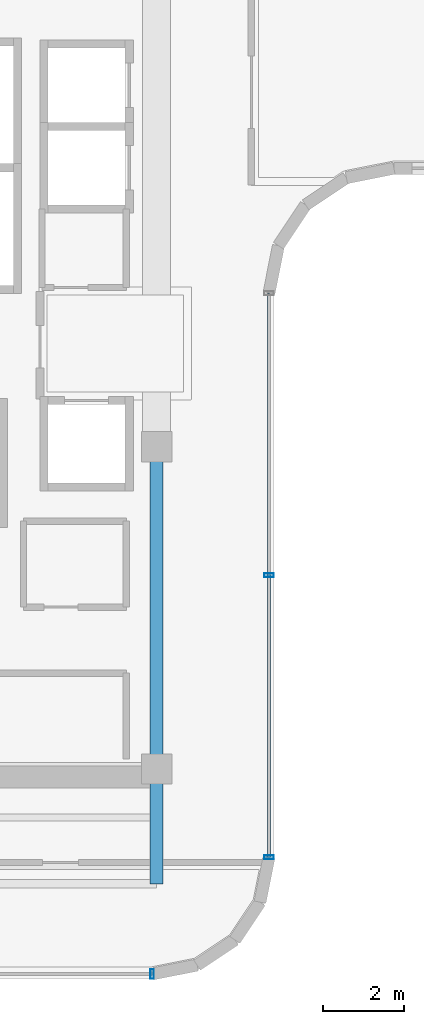
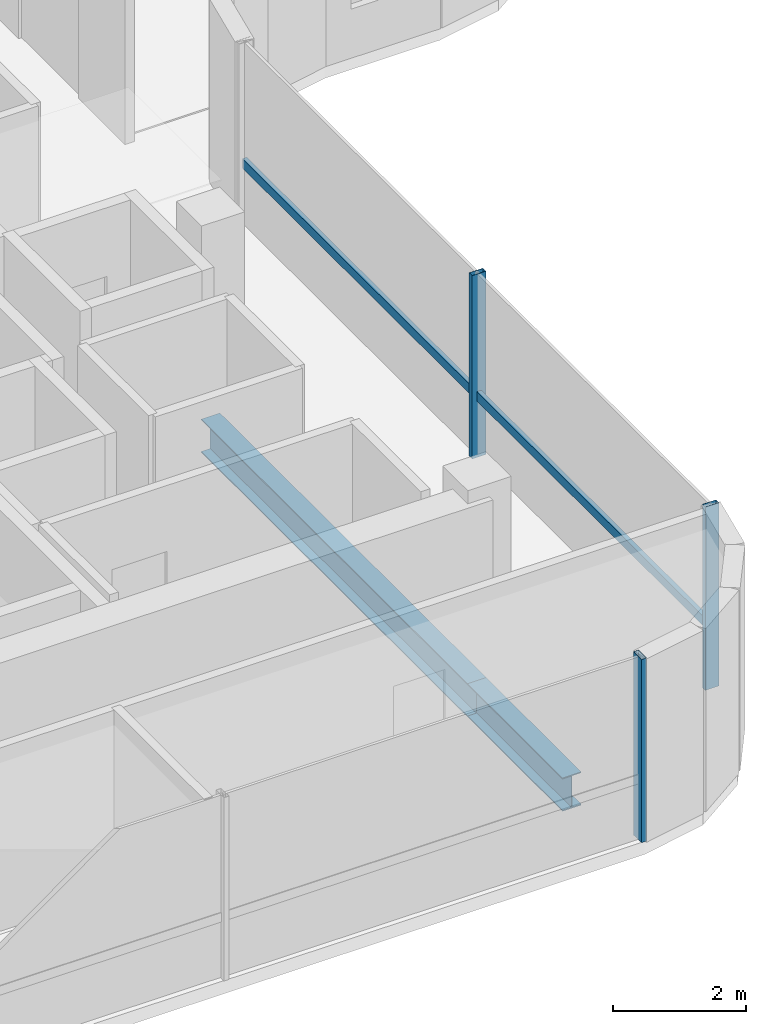
# One storey, part 4 of 13: 4 members, 2 beams, 2 elements without a shape of their own.
"""IFC4 building model written with IfcOpenShell, lengths in metres."""

from ifc_helpers import new_model, si_unit, direction, frame, origin, origin_2d, place, context, subcontext, project, spatial, hollow_rectangle, i_section, extrude, source, transform, mapped, material, material_profile, profile_set, type_object, element, aggregate, save


model = new_model("IFC4")

# Units and contexts
model_context = context("Model", 3, precision=1e-05, world=origin(), true_north=direction((0.0, 1.0)))
body_context = subcontext(model_context, "Body", "Model", "MODEL_VIEW")
ifc_project = project(units=[si_unit("LENGTHUNIT", "METRE"), si_unit("AREAUNIT", "SQUARE_METRE"), si_unit("VOLUMEUNIT", "CUBIC_METRE"), si_unit("PLANEANGLEUNIT", "RADIAN"), si_unit("MASSUNIT", "GRAM", prefix="KILO")], contexts=[model_context])

# Site, building, storey
site_placement = place(None, origin())
site = spatial("IfcSite", under=ifc_project, at=site_placement, CompositionType="ELEMENT")
building_placement = place(site_placement, origin())
building = spatial("IfcBuilding", under=site, at=building_placement, Name="Valdorenza Pilgrim Sanctuary Tower", CompositionType="ELEMENT")
storey_placement = place(building_placement, frame((0.0, 0.0, 290.60009765625)))
storey = spatial("IfcBuildingStorey", under=building, at=storey_placement, Name="L76", CompositionType="ELEMENT", Elevation=290.60009765625)

# Beams
ifc_material_1 = material(Name="Steel ASTM A992 Grade 50", Category="steel")
ifc_material_profile_1 = material_profile(ifc_material_1, i_section(OverallWidth=0.323974609375, OverallDepth=0.611083984375, WebThickness=0.0126953125, FlangeThickness=0.01904296875, at=origin_2d()), Name="W24X104")
ifc_profile_set_1 = profile_set([ifc_material_profile_1], Name="Steel ASTM A992 Grade 50")
beam_type = type_object("IfcBeamType", Name="STR-BM-GRD-W24B", PredefinedType="BEAM", material=ifc_profile_set_1)
shared_shape_1 = source(origin(), body_context, "Body", "SweptSolid", [
    extrude(i_section(OverallWidth=0.323974609375, OverallDepth=0.611083984375, WebThickness=0.0126953125, FlangeThickness=0.01904296875, at=origin_2d()), origin(), (0.0, 0.0, 1.0), 8.0),
])
beam_1_placement = place(storey_placement, frame((-12.39990234375, -10.60009765625, -0.545654296875), z_axis=(0.0, 1.0, 0.0), x_axis=(-1.0, 0.0, 0.0)))
element("IfcBeam", 1, at=beam_1_placement, inside=storey, type_object=beam_type, Name="L76 Core Tie Girder CA-E-S1M0", PredefinedType="BEAM", context=body_context, shape_type="MappedRepresentation", body=[
    mapped(shared_shape_1, transform((0.0, 0.0, 0.0), x_axis=(1.0, 0.0, 0.0), y_axis=(0.0, 1.0, 0.0), z_axis=(0.0, 0.0, 1.0), scale=1.0)),
])
shared_shape_2 = source(origin(), body_context, "Body", "SweptSolid", [
    extrude(i_section(OverallWidth=0.323974609375, OverallDepth=0.611083984375, WebThickness=0.0126953125, FlangeThickness=0.01904296875, at=origin_2d()), origin(), (0.0, 0.0, 1.0), 2.849853515625),
])
beam_2_placement = place(storey_placement, frame((-12.39990234375, -13.449951171875, -0.545654296875), z_axis=(0.0, 1.0, 0.0), x_axis=(-1.0, 0.0, 0.0)))
element("IfcBeam", 2, at=beam_2_placement, inside=storey, type_object=beam_type, Name="L76 Floor Girder WA-S-LE", PredefinedType="BEAM", context=body_context, shape_type="MappedRepresentation", body=[
    mapped(shared_shape_2, transform((0.0, 0.0, 0.0), x_axis=(1.0, 0.0, 0.0), y_axis=(0.0, 1.0, 0.0), z_axis=(0.0, 0.0, 1.0), scale=1.0)),
])

# Curtain wall, members
ifc_material_2 = material(Name="Curtain-wall IGU glazing", Category="glass")
curtain_wall_type = type_object("IfcCurtainWallType", Name="CW-SYS-04", PredefinedType="NOTDEFINED", material=ifc_material_2)
curtain_wall_1_placement = place(storey_placement, origin())
curtain_wall_1 = element("IfcCurtainWall", 3, at=curtain_wall_1_placement, inside=storey, type_object=curtain_wall_type, Name="L76 Curtain Wall CW-L76-1-21", PredefinedType="NOTDEFINED")
ifc_material_3 = material(Name="Anodised aluminium AW-6060", Category="aluminium")
ifc_material_profile_2 = material_profile(ifc_material_3, hollow_rectangle(XDim=0.090087890625, YDim=0.239990234375, WallThickness=0.0048828125, at=origin_2d()), Name="ALU-M 240x90x5")
ifc_profile_set_2 = profile_set([ifc_material_profile_2], Name="Anodised aluminium AW-6060")
member_type_1 = type_object("IfcMemberType", Name="CW-MUL-04", PredefinedType="MULLION", material=ifc_profile_set_2)
shared_shape_3 = source(origin(), body_context, "Body", "SweptSolid", [
    extrude(hollow_rectangle(XDim=0.090087890625, YDim=0.239990234375, WallThickness=0.0048828125, at=origin_2d()), origin(), (0.0, 0.0, 1.0), 3.35986328125),
])
member_1_placement = place(storey_placement, frame((-9.610107421875, -5.789306640625, 0.0), z_axis=(0.0, 0.0, 1.0), x_axis=(0.0, -1.0, 0.0)))
member_1 = element("IfcMember", 4, at=member_1_placement, type_object=member_type_1, Name="CW-L76-1-21 Mullion 2", PredefinedType="MULLION", context=body_context, shape_type="MappedRepresentation", body=[
    mapped(shared_shape_3, transform((0.0, 0.0, 0.0), x_axis=(1.0, 0.0, 0.0), y_axis=(0.0, 1.0, 0.0), z_axis=(0.0, 0.0, 1.0), scale=1.0)),
])
member_2_placement = place(storey_placement, frame((-9.610107421875, -12.789306640625, 0.0), z_axis=(0.0, 0.0, 1.0), x_axis=(0.0, -1.0, 0.0)))
member_2 = element("IfcMember", 5, at=member_2_placement, type_object=member_type_1, Name="CW-L76-1-21 Mullion 3", PredefinedType="MULLION", context=body_context, shape_type="MappedRepresentation", body=[
    mapped(shared_shape_3, transform((0.0, 0.0, 0.0), x_axis=(1.0, 0.0, 0.0), y_axis=(0.0, 1.0, 0.0), z_axis=(0.0, 0.0, 1.0), scale=1.0)),
])

# Curtain wall, member
curtain_wall_2_placement = place(storey_placement, origin())
curtain_wall_2 = element("IfcCurtainWall", 6, at=curtain_wall_2_placement, inside=storey, type_object=curtain_wall_type, Name="L76 Curtain Wall CW-L76-1-26", PredefinedType="NOTDEFINED")
member_3_placement = place(storey_placement, frame((-12.5107421875, -15.68994140625, 0.0), z_axis=(0.0, 0.0, 1.0), x_axis=(-1.0, 0.0, 0.0)))
member_3 = element("IfcMember", 7, at=member_3_placement, type_object=member_type_1, Name="CW-L76-1-26 Mullion 1", PredefinedType="MULLION", context=body_context, shape_type="MappedRepresentation", body=[
    mapped(shared_shape_3, transform((0.0, 0.0, 0.0), x_axis=(1.0, 0.0, 0.0), y_axis=(0.0, 1.0, 0.0), z_axis=(0.0, 0.0, 1.0), scale=1.0)),
])
aggregate(curtain_wall_2, [member_3])

# Member
ifc_material_profile_3 = material_profile(ifc_material_3, hollow_rectangle(XDim=0.080078125, YDim=0.169921875, WallThickness=0.00390625, at=origin_2d()), Name="ALU-T 170x80x4")
ifc_profile_set_3 = profile_set([ifc_material_profile_3], Name="Anodised aluminium AW-6060")
member_type_2 = type_object("IfcMemberType", Name="CW-TRN-04", PredefinedType="USERDEFINED", material=ifc_profile_set_3)
shared_shape_4 = source(origin(), body_context, "Body", "SweptSolid", [
    extrude(hollow_rectangle(XDim=0.080078125, YDim=0.169921875, WallThickness=0.00390625, at=origin_2d()), origin(), (0.0, 0.0, 1.0), 14.0),
])
member_4_placement = place(storey_placement, frame((-9.610107421875, 1.210693359375, 1.119873046875), z_axis=(0.0, -1.0, 0.0), x_axis=(1.0, 0.0, 0.0)))
member_4 = element("IfcMember", 8, at=member_4_placement, type_object=member_type_2, Name="CW-L76-1-21 Transom 1", ObjectType="TRANSOM", PredefinedType="USERDEFINED", context=body_context, shape_type="MappedRepresentation", body=[
    mapped(shared_shape_4, transform((0.0, 0.0, 0.0), x_axis=(1.0, 0.0, 0.0), y_axis=(0.0, 1.0, 0.0), z_axis=(0.0, 0.0, 1.0), scale=1.0)),
])

aggregate(curtain_wall_1, [member_1, member_2, member_4])

save(model, "model.ifc")
